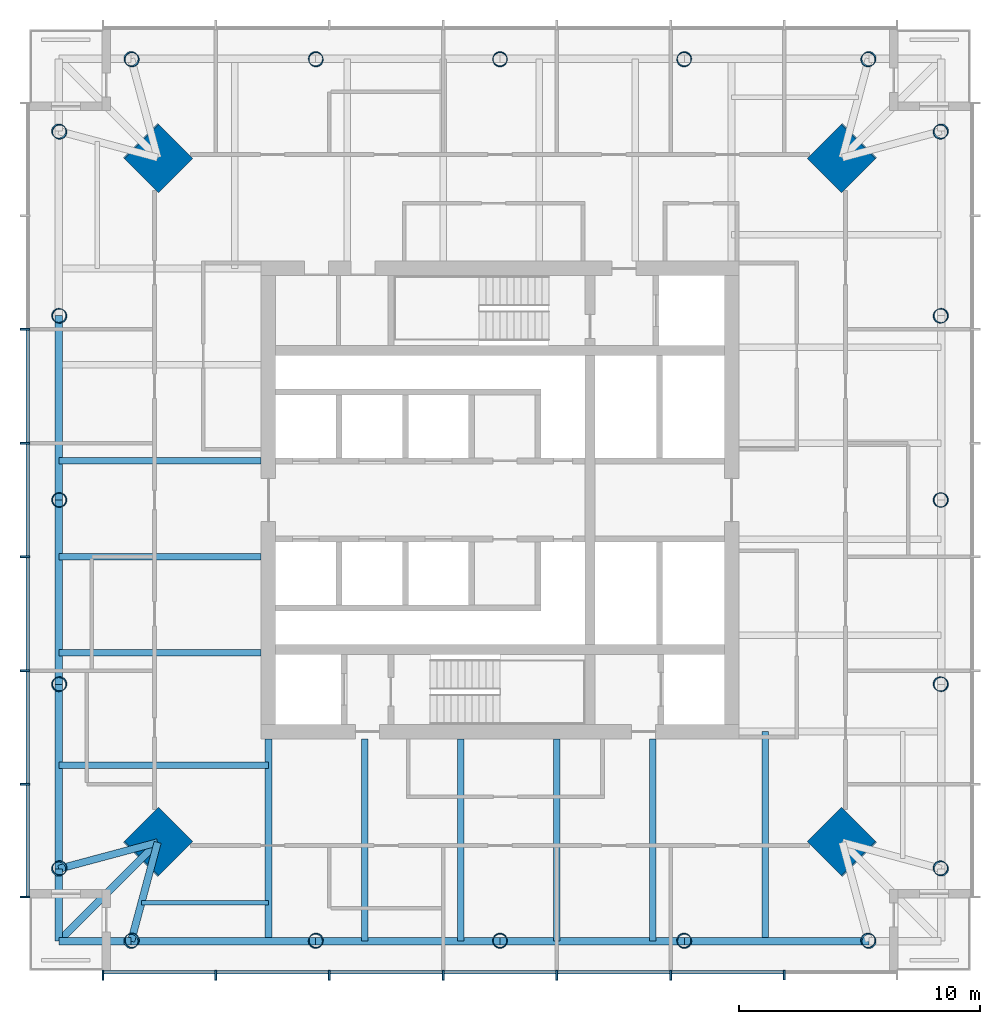
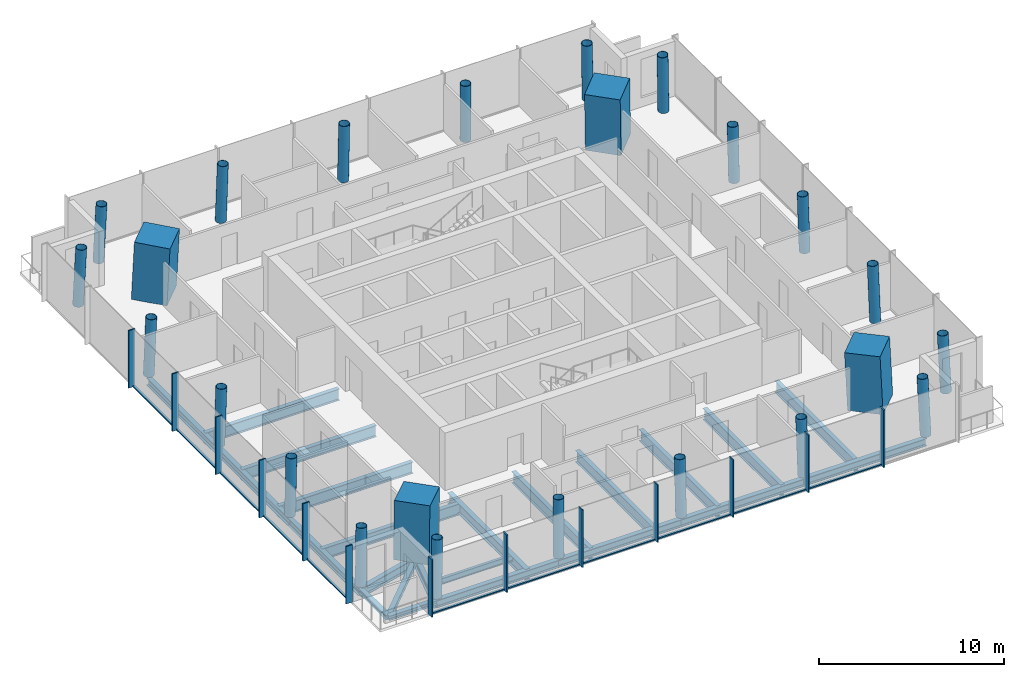
# One storey, part 1 of 7: 24 columns, 24 members, 23 beams, 2 elements without a shape of their own.
"""IFC4 building model written with IfcOpenShell, lengths in metres."""

import ifcopenshell
import ifcopenshell.guid

model = None  # the IFC model being written
_history = None  # IfcOwnerHistory: only IFC2X3 demands one
_inside = {}  # id of a spatial element -> (the spatial element, [elements in it])
_under = {}  # id of a project, library or spatial element -> (it, [spatial elements below it])
_declared = {}  # id of a project -> (the project, [libraries it declares])
_typed = {}  # id of a type object -> (the type object, [elements of that type])
_made_of = {}  # id of a material, layer set ... -> (it, [elements and type objects made of it])


def new_model(schema):
    """Start an empty IFC model of exactly this schema.

    Asked for "IFC4X3", IfcOpenShell would pick the latest addendum, in which some entities
    have other attributes; the version numbers below select the first issue.
    IFC2X3 requires an IfcOwnerHistory on every rooted entity: one is made here for all.
    """
    global model, _history
    if schema == "IFC4X3":
        model = ifcopenshell.file(schema_version=(4, 3, 0, 0))
    else:
        model = ifcopenshell.file(schema=schema)
    _inside.clear()
    _under.clear()
    _declared.clear()
    _typed.clear()
    _made_of.clear()
    _history = None
    if model.schema == "IFC2X3":
        org = make("IfcOrganization", Name="unknown")
        user = make(
            "IfcPersonAndOrganization",
            ThePerson=make("IfcPerson", FamilyName="unknown"),
            TheOrganization=org,
        )
        app = make(
            "IfcApplication",
            ApplicationDeveloper=org,
            Version="unknown",
            ApplicationFullName="unknown",
            ApplicationIdentifier="unknown",
        )
        _history = make(
            "IfcOwnerHistory",
            OwningUser=user,
            OwningApplication=app,
            ChangeAction="ADDED",
            CreationDate=0,
        )
    return model


def make(cls, **values):
    """One entity of the class cls with the attributes given. An attribute that is None is left unset."""
    return model.create_entity(
        cls, **{name: value for name, value in values.items() if value is not None}
    )


def rooted(cls, **values):
    """An entity with a GlobalId (a new one), such as an element, a storey or a relation."""
    return make(cls, GlobalId=ifcopenshell.guid.new(), OwnerHistory=_history, **values)


def si_unit(unit_type, name, prefix=None):
    """IfcSIUnit, for example si_unit("LENGTHUNIT", "METRE", prefix="MILLI")."""
    return make("IfcSIUnit", UnitType=unit_type, Prefix=prefix, Name=name)


def assignment(units):
    """IfcUnitAssignment: the units of a project."""
    return None if units is None else make("IfcUnitAssignment", Units=units)


def point(xyz):
    """IfcCartesianPoint."""
    return None if xyz is None else make("IfcCartesianPoint", Coordinates=xyz)


def direction(xyz):
    """IfcDirection."""
    return None if xyz is None else make("IfcDirection", DirectionRatios=xyz)


def frame(location, z_axis=None, x_axis=None):
    """IfcAxis2Placement3D, a coordinate frame: its origin and axes. An axis left out is left unset."""
    return make(
        "IfcAxis2Placement3D",
        Location=point(location),
        Axis=direction(z_axis),
        RefDirection=direction(x_axis),
    )


def frame_2d(location, x_axis=None):
    """IfcAxis2Placement2D, a coordinate frame in the plane: its origin and x axis."""
    return make(
        "IfcAxis2Placement2D", Location=point(location), RefDirection=direction(x_axis)
    )


def origin():
    """The frame at (0, 0, 0) with its axes left unset."""
    return frame((0.0, 0.0, 0.0))


def origin_2d():
    """The frame at (0, 0) in the plane with its x axis left unset."""
    return frame_2d((0.0, 0.0))


def place(relative_to, where):
    """IfcLocalPlacement: puts the frame where relative to a parent placement (None: the world)."""
    return make(
        "IfcLocalPlacement", PlacementRelTo=relative_to, RelativePlacement=where
    )


def context(
    kind, dimensions, precision=None, world=None, true_north=None, identifier=None
):
    """IfcGeometricRepresentationContext, for example the 3D "Model" context."""
    return make(
        "IfcGeometricRepresentationContext",
        ContextIdentifier=identifier,
        ContextType=kind,
        CoordinateSpaceDimension=dimensions,
        Precision=precision,
        WorldCoordinateSystem=world,
        TrueNorth=true_north,
    )


def subcontext(parent, identifier, kind, view, scale=None):
    """IfcGeometricRepresentationSubContext, for example "Body" below "Model"."""
    return make(
        "IfcGeometricRepresentationSubContext",
        ContextIdentifier=identifier,
        ContextType=kind,
        ParentContext=parent,
        TargetScale=scale,
        TargetView=view,
    )


def project(units=None, contexts=None):
    """IfcProject with its units and contexts."""
    return rooted(
        "IfcProject",
        Name="project",
        RepresentationContexts=contexts,
        UnitsInContext=assignment(units),
    )


def spatial(cls, under=None, at=None, **own):
    """A site, building, storey or space (cls), placed at a placement, below another one or the project."""
    s = rooted(cls, ObjectPlacement=at, **own)
    if under is not None:
        _under.setdefault(under.id(), (under, []))[1].append(s)
    return s


def profile(cls, at=None, kind="AREA", **sizes):
    """A parametric profile (cls). Its sizes go by their IFC names, for example OverallWidth=200.0."""
    return make(cls, ProfileType=kind, Position=at, **sizes)


def rectangle(**sizes):
    """IfcRectangleProfileDef."""
    return profile("IfcRectangleProfileDef", **sizes)


def hollow_circle(**sizes):
    """IfcCircleHollowProfileDef."""
    return profile("IfcCircleHollowProfileDef", **sizes)


def i_section(**sizes):
    """IfcIShapeProfileDef."""
    return profile("IfcIShapeProfileDef", **sizes)


def extrude(swept, where, along, depth):
    """IfcExtrudedAreaSolid: the profile swept, set in the frame where, extruded along a direction by depth."""
    return make(
        "IfcExtrudedAreaSolid",
        SweptArea=swept,
        Position=where,
        ExtrudedDirection=direction(along),
        Depth=depth,
    )


def shape(context_of_items, identifier, shape_type, items):
    """IfcShapeRepresentation: the items that make up one representation, for example the "Body"."""
    return make(
        "IfcShapeRepresentation",
        ContextOfItems=context_of_items,
        RepresentationIdentifier=identifier,
        RepresentationType=shape_type,
        Items=items,
    )


def material(Name=None, Category=None):
    """IfcMaterial."""
    return make("IfcMaterial", Name=Name, Category=Category)


def material_profile(
    of_material, cross_section, Name=None, Category=None, Priority=None
):
    """IfcMaterialProfile: a cross section and its material."""
    return make(
        "IfcMaterialProfile",
        Name=Name,
        Material=of_material,
        Profile=cross_section,
        Priority=Priority,
        Category=Category,
    )


def profile_set(profiles, Name=None, composite=None):
    """IfcMaterialProfileSet."""
    return make(
        "IfcMaterialProfileSet",
        Name=Name,
        MaterialProfiles=profiles,
        CompositeProfile=composite,
    )


def made_of(thing, what):
    """Note that an element or type object is made of a material, layer set ...; save() writes the relation."""
    if what is not None:
        _made_of.setdefault(what.id(), (what, []))[1].append(thing)
    return thing


def type_object(cls, material=None, **own):
    """A type object (cls), such as IfcWallType, which elements share."""
    return made_of(rooted(cls, **own), material)


def element(
    cls,
    number,
    at=None,
    inside=None,
    cuts=None,
    type_object=None,
    material=None,
    context=None,
    identifier="Body",
    shape_type=None,
    held_by="IfcProductDefinitionShape",
    body=None,
    shapes=None,
    **own,
):
    """One element of the class cls, such as IfcWall. Its Tag is "e" and its number.

    at: its placement. inside: the storey or other place that contains it. cuts: it is an
    opening in that element (IfcRelVoidsElement). A single representation is given by context,
    identifier, shape_type and body (its items); several are given by shapes. held_by: the class
    of the entity that holds the representations. save() writes the other relations.
    """
    e = rooted(cls, Tag="e%d" % number, ObjectPlacement=at, **own)
    if body is not None:
        shapes = [shape(context, identifier, shape_type, body)]
    if shapes is not None:
        e.Representation = make(held_by, Representations=shapes)
    if inside is not None:
        _inside.setdefault(inside.id(), (inside, []))[1].append(e)
    if cuts is not None:
        rooted(
            "IfcRelVoidsElement", RelatingBuildingElement=cuts, RelatedOpeningElement=e
        )
    if type_object is not None:
        _typed.setdefault(type_object.id(), (type_object, []))[1].append(e)
    return made_of(e, material)


def aggregate(whole, parts):
    """IfcRelAggregates: a whole, such as a stair, and the parts it consists of."""
    return rooted("IfcRelAggregates", RelatingObject=whole, RelatedObjects=parts)


def save(model, path):
    """Write the relations noted so far, then the file.

    IfcRelAggregates (storeys below a building ...), IfcRelContainedInSpatialStructure (elements
    in a storey), IfcRelDefinesByType, IfcRelAssociatesMaterial and IfcRelDeclares: one each for
    every whole, place, type object, material and project.
    """
    for whole, parts in _under.values():
        aggregate(whole, parts)
    for where, things in _inside.values():
        rooted(
            "IfcRelContainedInSpatialStructure",
            RelatedElements=things,
            RelatingStructure=where,
        )
    for kind, things in _typed.values():
        rooted("IfcRelDefinesByType", RelatedObjects=things, RelatingType=kind)
    for what, things in _made_of.values():
        rooted("IfcRelAssociatesMaterial", RelatedObjects=things, RelatingMaterial=what)
    for by, libraries in _declared.values():
        rooted("IfcRelDeclares", RelatingContext=by, RelatedDefinitions=libraries)
    model.write(path)


model = new_model("IFC4")

# Units and contexts
model_context = context("Model", 3, precision=1e-05, world=origin(), true_north=direction((0.0, 1.0)))
body_context = subcontext(model_context, "Body", "Model", "MODEL_VIEW")
ifc_project = project(units=[si_unit("LENGTHUNIT", "METRE"), si_unit("AREAUNIT", "SQUARE_METRE"), si_unit("VOLUMEUNIT", "CUBIC_METRE"), si_unit("PLANEANGLEUNIT", "RADIAN"), si_unit("MASSUNIT", "GRAM", prefix="KILO")], contexts=[model_context])

# Site, building, storey
site_placement = place(None, origin())
site = spatial("IfcSite", under=ifc_project, at=site_placement, CompositionType="ELEMENT")
building_placement = place(site_placement, origin())
building = spatial("IfcBuilding", under=site, at=building_placement, Name="Ostroluk Exchange", CompositionType="ELEMENT")
storey_placement = place(building_placement, frame((0.0, 0.0, 199.60009765625)))
storey = spatial("IfcBuildingStorey", under=building, at=storey_placement, Name="L51", CompositionType="ELEMENT", Elevation=199.60009765625)

# Columns
ifc_material_1 = material(Name="Concrete C50/60", Category="concrete")
ifc_material_profile_1 = material_profile(ifc_material_1, rectangle(XDim=2.0, YDim=2.0, at=origin_2d()), Name="RC 2000x2000")
ifc_profile_set_1 = profile_set([ifc_material_profile_1], Name="Concrete C50/60")
column_type_1 = type_object("IfcColumnType", Name="Mega column RC 2000x2000", PredefinedType="COLUMN", material=ifc_profile_set_1)
for number, where, z_axis, x_axis, name in (
    (1, (59.19287109375, 60.19287109375, 0.0), (-0.031900153262, -0.031900153262, 0.998981861919), (0.707106781187, -0.707106781187, 0.0), "T1 mega column NE"),
    (2, (30.80712890625, 60.19287109375, 0.0), (0.031900153262, -0.031900153262, 0.998981861919), (0.707106781187, 0.707106781187, 0.0), "T1 mega column NW"),
    (3, (30.80712890625, 31.80712890625, 0.0), (0.031900153262, 0.031900153262, 0.998981861919), (-0.707106781187, 0.707106781187, 0.0), "T1 mega column SW"),
    (4, (59.19287109375, 31.80712890625, 0.0), (-0.031900153262, 0.031900153262, 0.998981861919), (-0.707106781187, -0.707106781187, 0.0), "T1 mega column SE"),
):
    element("IfcColumn", number, at=place(storey_placement, frame(where, z_axis=z_axis, x_axis=x_axis)), inside=storey, type_object=column_type_1, Name=name, PredefinedType="COLUMN", context=body_context, shape_type="SweptSolid", body=[
        extrude(rectangle(XDim=2.0, YDim=2.0, at=origin_2d()), origin(), (0.0, 0.0, 1.0), 3.8037109375),
    ])
ifc_material_2 = material(Name="Steel S460", Category="steel")
ifc_material_profile_2 = material_profile(ifc_material_2, hollow_circle(Radius=0.304931640625, WallThickness=0.02490234375, at=origin_2d()), Name="CHS 610x25")
ifc_profile_set_2 = profile_set([ifc_material_profile_2], Name="Steel S460")
column_type_2 = type_object("IfcColumnType", Name="Perimeter column CHS 610x25", PredefinedType="COLUMN", material=ifc_profile_set_2)
for number, where, z_axis, x_axis, name in (
    (5, (63.29296875, 30.70703125, 0.0), (-0.031964207655, 0.031964207655, 0.998977766949), (-0.707106781187, -0.707106781187, 0.0), "T1 east face column E0"),
    (6, (63.29296875, 61.29296875, 0.0), (-0.031964207655, -0.031964207655, 0.998977766949), (0.707106781187, -0.707106781187, 0.0), "T1 east face column E1"),
):
    element("IfcColumn", number, at=place(storey_placement, frame(where, z_axis=z_axis, x_axis=x_axis)), inside=storey, type_object=column_type_2, Name=name, PredefinedType="COLUMN", context=body_context, shape_type="SweptSolid", body=[
        extrude(hollow_circle(Radius=0.304931640625, WallThickness=0.02490234375, at=origin_2d()), origin(), (0.0, 0.0, 1.0), 3.8037109375),
    ])
column_1_placement = place(storey_placement, frame((63.29296875, 38.353515625, 0.0), z_axis=(-0.031976461511, 0.015988230756, 0.999360736865), x_axis=(-0.4472135955, -0.894427191, 0.0)))
element("IfcColumn", 7, at=column_1_placement, inside=storey, type_object=column_type_2, Name="T1 east face column I1", PredefinedType="COLUMN", context=body_context, shape_type="SweptSolid", body=[
    extrude(hollow_circle(Radius=0.304931640625, WallThickness=0.02490234375, at=origin_2d()), origin(), (0.0, 0.0, 1.0), 3.80224609375),
])
column_2_placement = place(storey_placement, frame((63.29296875, 46.0, 0.0), z_axis=(-0.031980549263, 0.0, 0.999488491414), x_axis=(0.0, -1.0, 0.0)))
element("IfcColumn", 8, at=column_2_placement, inside=storey, type_object=column_type_2, Name="T1 east face column I2", PredefinedType="COLUMN", context=body_context, shape_type="SweptSolid", body=[
    extrude(hollow_circle(Radius=0.304931640625, WallThickness=0.02490234375, at=origin_2d()), origin(), (0.0, 0.0, 1.0), 3.8017578125),
])
column_3_placement = place(storey_placement, frame((63.29296875, 53.646484375, 0.0), z_axis=(-0.031976461511, -0.015988230756, 0.999360736865), x_axis=(0.4472135955, -0.894427191, 0.0)))
element("IfcColumn", 9, at=column_3_placement, inside=storey, type_object=column_type_2, Name="T1 east face column I3", PredefinedType="COLUMN", context=body_context, shape_type="SweptSolid", body=[
    extrude(hollow_circle(Radius=0.304931640625, WallThickness=0.02490234375, at=origin_2d()), origin(), (0.0, 0.0, 1.0), 3.80224609375),
])
for number, where, z_axis, x_axis, name in (
    (10, (60.29296875, 64.29296875, 0.0), (-0.031964207655, -0.031964207655, 0.998977766949), (0.707106781187, -0.707106781187, 0.0), "T1 north face column E0"),
    (11, (29.70703125, 64.29296875, 0.0), (0.031964207655, -0.031964207655, 0.998977766949), (0.707106781187, 0.707106781187, 0.0), "T1 north face column E1"),
):
    element("IfcColumn", number, at=place(storey_placement, frame(where, z_axis=z_axis, x_axis=x_axis)), inside=storey, type_object=column_type_2, Name=name, PredefinedType="COLUMN", context=body_context, shape_type="SweptSolid", body=[
        extrude(hollow_circle(Radius=0.304931640625, WallThickness=0.02490234375, at=origin_2d()), origin(), (0.0, 0.0, 1.0), 3.8037109375),
    ])
column_4_placement = place(storey_placement, frame((52.646484375, 64.29296875, 0.0), z_axis=(-0.015988230756, -0.031976461511, 0.999360736865), x_axis=(0.894427191, -0.4472135955, 0.0)))
element("IfcColumn", 12, at=column_4_placement, inside=storey, type_object=column_type_2, Name="T1 north face column I1", PredefinedType="COLUMN", context=body_context, shape_type="SweptSolid", body=[
    extrude(hollow_circle(Radius=0.304931640625, WallThickness=0.02490234375, at=origin_2d()), origin(), (0.0, 0.0, 1.0), 3.80224609375),
])
column_5_placement = place(storey_placement, frame((45.0, 64.29296875, 0.0), z_axis=(0.0, -0.031980549263, 0.999488491414), x_axis=(1.0, 0.0, 0.0)))
element("IfcColumn", 13, at=column_5_placement, inside=storey, type_object=column_type_2, Name="T1 north face column I2", PredefinedType="COLUMN", context=body_context, shape_type="SweptSolid", body=[
    extrude(hollow_circle(Radius=0.304931640625, WallThickness=0.02490234375, at=origin_2d()), origin(), (0.0, 0.0, 1.0), 3.8017578125),
])
column_6_placement = place(storey_placement, frame((37.353515625, 64.29296875, 0.0), z_axis=(0.015988230756, -0.031976461511, 0.999360736865), x_axis=(0.894427191, 0.4472135955, 0.0)))
element("IfcColumn", 14, at=column_6_placement, inside=storey, type_object=column_type_2, Name="T1 north face column I3", PredefinedType="COLUMN", context=body_context, shape_type="SweptSolid", body=[
    extrude(hollow_circle(Radius=0.304931640625, WallThickness=0.02490234375, at=origin_2d()), origin(), (0.0, 0.0, 1.0), 3.80224609375),
])
for number, where, z_axis, x_axis, name in (
    (15, (26.70703125, 61.29296875, 0.0), (0.031964207655, -0.031964207655, 0.998977766949), (0.707106781187, 0.707106781187, 0.0), "T1 west face column E0"),
    (16, (26.70703125, 30.70703125, 0.0), (0.031964207655, 0.031964207655, 0.998977766949), (-0.707106781187, 0.707106781187, 0.0), "T1 west face column E1"),
):
    element("IfcColumn", number, at=place(storey_placement, frame(where, z_axis=z_axis, x_axis=x_axis)), inside=storey, type_object=column_type_2, Name=name, PredefinedType="COLUMN", context=body_context, shape_type="SweptSolid", body=[
        extrude(hollow_circle(Radius=0.304931640625, WallThickness=0.02490234375, at=origin_2d()), origin(), (0.0, 0.0, 1.0), 3.8037109375),
    ])
column_7_placement = place(storey_placement, frame((26.70703125, 53.646484375, 0.0), z_axis=(0.031976461511, -0.015988230756, 0.999360736865), x_axis=(0.4472135955, 0.894427191, 0.0)))
element("IfcColumn", 17, at=column_7_placement, inside=storey, type_object=column_type_2, Name="T1 west face column I1", PredefinedType="COLUMN", context=body_context, shape_type="SweptSolid", body=[
    extrude(hollow_circle(Radius=0.304931640625, WallThickness=0.02490234375, at=origin_2d()), origin(), (0.0, 0.0, 1.0), 3.80224609375),
])
column_8_placement = place(storey_placement, frame((26.70703125, 46.0, 0.0), z_axis=(0.031980549263, 0.0, 0.999488491414), x_axis=(0.0, 1.0, 0.0)))
element("IfcColumn", 18, at=column_8_placement, inside=storey, type_object=column_type_2, Name="T1 west face column I2", PredefinedType="COLUMN", context=body_context, shape_type="SweptSolid", body=[
    extrude(hollow_circle(Radius=0.304931640625, WallThickness=0.02490234375, at=origin_2d()), origin(), (0.0, 0.0, 1.0), 3.8017578125),
])
column_9_placement = place(storey_placement, frame((26.70703125, 38.353515625, 0.0), z_axis=(0.031976461511, 0.015988230756, 0.999360736865), x_axis=(-0.4472135955, 0.894427191, 0.0)))
element("IfcColumn", 19, at=column_9_placement, inside=storey, type_object=column_type_2, Name="T1 west face column I3", PredefinedType="COLUMN", context=body_context, shape_type="SweptSolid", body=[
    extrude(hollow_circle(Radius=0.304931640625, WallThickness=0.02490234375, at=origin_2d()), origin(), (0.0, 0.0, 1.0), 3.80224609375),
])
for number, where, z_axis, x_axis, name in (
    (20, (29.70703125, 27.70703125, 0.0), (0.031964207655, 0.031964207655, 0.998977766949), (-0.707106781187, 0.707106781187, 0.0), "T1 south face column E0"),
    (21, (60.29296875, 27.70703125, 0.0), (-0.031964207655, 0.031964207655, 0.998977766949), (-0.707106781187, -0.707106781187, 0.0), "T1 south face column E1"),
):
    element("IfcColumn", number, at=place(storey_placement, frame(where, z_axis=z_axis, x_axis=x_axis)), inside=storey, type_object=column_type_2, Name=name, PredefinedType="COLUMN", context=body_context, shape_type="SweptSolid", body=[
        extrude(hollow_circle(Radius=0.304931640625, WallThickness=0.02490234375, at=origin_2d()), origin(), (0.0, 0.0, 1.0), 3.8037109375),
    ])
column_10_placement = place(storey_placement, frame((37.353515625, 27.70703125, 0.0), z_axis=(0.015988230756, 0.031976461511, 0.999360736865), x_axis=(-0.894427191, 0.4472135955, 0.0)))
element("IfcColumn", 22, at=column_10_placement, inside=storey, type_object=column_type_2, Name="T1 south face column I1", PredefinedType="COLUMN", context=body_context, shape_type="SweptSolid", body=[
    extrude(hollow_circle(Radius=0.304931640625, WallThickness=0.02490234375, at=origin_2d()), origin(), (0.0, 0.0, 1.0), 3.80224609375),
])
column_11_placement = place(storey_placement, frame((45.0, 27.70703125, 0.0), z_axis=(0.0, 0.031980549263, 0.999488491414), x_axis=(-1.0, 0.0, 0.0)))
element("IfcColumn", 23, at=column_11_placement, inside=storey, type_object=column_type_2, Name="T1 south face column I2", PredefinedType="COLUMN", context=body_context, shape_type="SweptSolid", body=[
    extrude(hollow_circle(Radius=0.304931640625, WallThickness=0.02490234375, at=origin_2d()), origin(), (0.0, 0.0, 1.0), 3.8017578125),
])
column_12_placement = place(storey_placement, frame((52.646484375, 27.70703125, 0.0), z_axis=(-0.015988230756, 0.031976461511, 0.999360736865), x_axis=(-0.894427191, -0.4472135955, 0.0)))
element("IfcColumn", 24, at=column_12_placement, inside=storey, type_object=column_type_2, Name="T1 south face column I3", PredefinedType="COLUMN", context=body_context, shape_type="SweptSolid", body=[
    extrude(hollow_circle(Radius=0.304931640625, WallThickness=0.02490234375, at=origin_2d()), origin(), (0.0, 0.0, 1.0), 3.80224609375),
])

# Beams
ifc_material_3 = material(Name="Steel S355", Category="steel")
ifc_material_profile_3 = material_profile(ifc_material_3, i_section(OverallWidth=0.300048828125, OverallDepth=0.300048828125, WebThickness=0.010986328125, FlangeThickness=0.01904296875, FilletRadius=0.027099609375, at=origin_2d()), Name="HEB 300")
ifc_profile_set_3 = profile_set([ifc_material_profile_3], Name="Steel S355")
beam_type_1 = type_object("IfcBeamType", Name="Balcony beam HEB 300", PredefinedType="BEAM", material=ifc_profile_set_3)
for number, where, z_axis, x_axis, name in (
    (25, (26.70703125, 30.70703125, -0.330078125), (0.0, -1.0, 0.0), (1.0, 0.0, 0.0), "T1 west balcony beam a"),
    (26, (29.70703125, 27.70703125, -0.330078125), (-1.0, 0.0, 0.0), (0.0, -1.0, 0.0), "T1 west balcony beam b"),
):
    element("IfcBeam", number, at=place(storey_placement, frame(where, z_axis=z_axis, x_axis=x_axis)), inside=storey, type_object=beam_type_1, Name=name, PredefinedType="BEAM", context=body_context, shape_type="SweptSolid", body=[
        extrude(i_section(OverallWidth=0.300048828125, OverallDepth=0.300048828125, WebThickness=0.010986328125, FlangeThickness=0.01904296875, FilletRadius=0.027099609375, at=origin_2d()), origin(), (0.0, 0.0, 1.0), 3.0),
    ])
beam_1_placement = place(storey_placement, frame((30.80712890625, 31.80712890625, -0.330078125), z_axis=(-0.707106781187, -0.707106781187, 0.0), x_axis=(0.707106781187, -0.707106781187, 0.0)))
element("IfcBeam", 27, at=beam_1_placement, inside=storey, type_object=beam_type_1, Name="T1 west balcony beam c", PredefinedType="BEAM", context=body_context, shape_type="SweptSolid", body=[
    extrude(i_section(OverallWidth=0.300048828125, OverallDepth=0.300048828125, WebThickness=0.010986328125, FlangeThickness=0.01904296875, FilletRadius=0.027099609375, at=origin_2d()), origin(), (0.0, 0.0, 1.0), 5.79833984375),
])
ifc_material_4 = material(Name="Steel S355", Category="steel")
ifc_material_profile_4 = material_profile(ifc_material_4, i_section(OverallWidth=0.300048828125, OverallDepth=0.60009765625, WebThickness=0.015380859375, FlangeThickness=0.030029296875, FilletRadius=0.027099609375, at=origin_2d()), Name="HEB 600")
ifc_profile_set_4 = profile_set([ifc_material_profile_4], Name="Steel S355")
beam_type_2 = type_object("IfcBeamType", Name="Corner edge beam HEB 600", PredefinedType="SPANDREL", material=ifc_profile_set_4)
for number, where, z_axis, x_axis, name in (
    (28, (30.80712890625, 31.80712890625, -0.47998046875), (-0.965838624319, -0.259144268261, 0.0), (0.259144268261, -0.965838624319, 0.0), "T1 west corner edge beam a"),
    (29, (30.80712890625, 31.80712890625, -0.47998046875), (-0.259144268261, -0.965838624319, 0.0), (0.965838624319, -0.259144268261, 0.0), "T1 west corner edge beam b"),
):
    element("IfcBeam", number, at=place(storey_placement, frame(where, z_axis=z_axis, x_axis=x_axis)), inside=storey, type_object=beam_type_2, Name=name, PredefinedType="SPANDREL", context=body_context, shape_type="SweptSolid", body=[
        extrude(i_section(OverallWidth=0.300048828125, OverallDepth=0.60009765625, WebThickness=0.015380859375, FlangeThickness=0.030029296875, FilletRadius=0.027099609375, at=origin_2d()), origin(), (0.0, 0.0, 1.0), 4.2451171875),
    ])
ifc_material_5 = material(Name="Steel S355", Category="steel")
ifc_material_profile_5 = material_profile(ifc_material_5, i_section(OverallWidth=0.179931640625, OverallDepth=0.39990234375, WebThickness=0.008544921875, FlangeThickness=0.013427734375, FilletRadius=0.02099609375, at=origin_2d()), Name="IPE 400")
ifc_profile_set_5 = profile_set([ifc_material_profile_5], Name="Steel S355")
beam_type_3 = type_object("IfcBeamType", Name="Floor beam IPE 400", PredefinedType="BEAM", material=ifc_profile_set_5)
beam_2_placement = place(storey_placement, frame((35.39990234375, 29.30712890625, -0.380126953125), z_axis=(-1.0, 0.0, 0.0), x_axis=(0.0, -1.0, 0.0)))
element("IfcBeam", 30, at=beam_2_placement, inside=storey, type_object=beam_type_3, Name="T1 west floor beam 6", PredefinedType="BEAM", context=body_context, shape_type="SweptSolid", body=[
    extrude(i_section(OverallWidth=0.179931640625, OverallDepth=0.39990234375, WebThickness=0.008544921875, FlangeThickness=0.013427734375, FilletRadius=0.02099609375, at=origin_2d()), origin(), (0.0, 0.0, 1.0), 5.263427734375),
])
ifc_material_6 = material(Name="Steel S355", Category="steel")
ifc_material_profile_6 = material_profile(ifc_material_6, i_section(OverallWidth=0.264892578125, OverallDepth=0.7529296875, WebThickness=0.01318359375, FlangeThickness=0.01708984375, FilletRadius=0.01708984375, at=origin_2d()), Name="IPE 750x147")
ifc_profile_set_6 = profile_set([ifc_material_profile_6], Name="Steel S355")
beam_type_4 = type_object("IfcBeamType", Name="Floor beam IPE 750x147", PredefinedType="BEAM", material=ifc_profile_set_6)
for number, where, z_axis, x_axis, name in (
    (31, (35.10009765625, 47.630615234375, -0.556640625), (-1.0, 0.0, 0.0), (0.0, -1.0, 0.0), "T1 west floor beam 2"),
    (32, (35.10009765625, 43.64599609375, -0.556640625), (-1.0, 0.0, 0.0), (0.0, -1.0, 0.0), "T1 west floor beam 3"),
    (33, (35.10009765625, 39.6611328125, -0.556640625), (-1.0, 0.0, 0.0), (0.0, -1.0, 0.0), "T1 west floor beam 4"),
):
    element("IfcBeam", number, at=place(storey_placement, frame(where, z_axis=z_axis, x_axis=x_axis)), inside=storey, type_object=beam_type_4, Name=name, PredefinedType="BEAM", context=body_context, shape_type="SweptSolid", body=[
        extrude(i_section(OverallWidth=0.264892578125, OverallDepth=0.7529296875, WebThickness=0.01318359375, FlangeThickness=0.01708984375, FilletRadius=0.01708984375, at=origin_2d()), origin(), (0.0, 0.0, 1.0), 8.39306640625),
    ])
beam_3_placement = place(storey_placement, frame((35.39990234375, 35.0, -0.556640625), z_axis=(-1.0, 0.0, 0.0), x_axis=(0.0, -1.0, 0.0)))
element("IfcBeam", 34, at=beam_3_placement, inside=storey, type_object=beam_type_4, Name="T1 west floor beam 5", PredefinedType="BEAM", context=body_context, shape_type="SweptSolid", body=[
    extrude(i_section(OverallWidth=0.264892578125, OverallDepth=0.7529296875, WebThickness=0.01318359375, FlangeThickness=0.01708984375, FilletRadius=0.01708984375, at=origin_2d()), origin(), (0.0, 0.0, 1.0), 8.69287109375),
])
for number, where, z_axis, x_axis, name in (
    (35, (39.384765625, 36.10009765625, -0.556640625), (0.0, -1.0, 0.0), (1.0, 0.0, 0.0), "T1 south floor beam 1"),
    (36, (43.369384765625, 36.10009765625, -0.556640625), (0.0, -1.0, 0.0), (1.0, 0.0, 0.0), "T1 south floor beam 2"),
    (37, (47.35400390625, 36.10009765625, -0.556640625), (0.0, -1.0, 0.0), (1.0, 0.0, 0.0), "T1 south floor beam 3"),
    (38, (51.3388671875, 36.10009765625, -0.556640625), (0.0, -1.0, 0.0), (1.0, 0.0, 0.0), "T1 south floor beam 4"),
):
    element("IfcBeam", number, at=place(storey_placement, frame(where, z_axis=z_axis, x_axis=x_axis)), inside=storey, type_object=beam_type_4, Name=name, PredefinedType="BEAM", context=body_context, shape_type="SweptSolid", body=[
        extrude(i_section(OverallWidth=0.264892578125, OverallDepth=0.7529296875, WebThickness=0.01318359375, FlangeThickness=0.01708984375, FilletRadius=0.01708984375, at=origin_2d()), origin(), (0.0, 0.0, 1.0), 8.39306640625),
    ])
beam_4_placement = place(storey_placement, frame((56.0, 36.39990234375, -0.556640625), z_axis=(0.0, -1.0, 0.0), x_axis=(1.0, 0.0, 0.0)))
element("IfcBeam", 39, at=beam_4_placement, inside=storey, type_object=beam_type_4, Name="T1 south floor beam 5", PredefinedType="BEAM", context=body_context, shape_type="SweptSolid", body=[
    extrude(i_section(OverallWidth=0.264892578125, OverallDepth=0.7529296875, WebThickness=0.01318359375, FlangeThickness=0.01708984375, FilletRadius=0.01708984375, at=origin_2d()), origin(), (0.0, 0.0, 1.0), 8.69287109375),
])
ifc_material_7 = material(Name="Steel S355", Category="steel")
ifc_material_profile_7 = material_profile(ifc_material_7, i_section(OverallWidth=0.300048828125, OverallDepth=0.699951171875, WebThickness=0.01708984375, FlangeThickness=0.031982421875, FilletRadius=0.027099609375, at=origin_2d()), Name="HEB 700")
ifc_profile_set_7 = profile_set([ifc_material_profile_7], Name="Steel S355")
beam_type_5 = type_object("IfcBeamType", Name="Girder HEB 700", PredefinedType="BEAM", material=ifc_profile_set_7)
beam_5_placement = place(storey_placement, frame((35.39990234375, 36.10009765625, -0.530029296875), z_axis=(0.0, -1.0, 0.0), x_axis=(1.0, 0.0, 0.0)))
element("IfcBeam", 40, at=beam_5_placement, inside=storey, type_object=beam_type_5, Name="T1 west girder", PredefinedType="BEAM", context=body_context, shape_type="SweptSolid", body=[
    extrude(i_section(OverallWidth=0.300048828125, OverallDepth=0.699951171875, WebThickness=0.01708984375, FlangeThickness=0.031982421875, FilletRadius=0.027099609375, at=origin_2d()), origin(), (0.0, 0.0, 1.0), 8.39306640625),
])
ifc_material_8 = material(Name="Steel S355", Category="steel")
ifc_material_profile_8 = material_profile(ifc_material_8, i_section(OverallWidth=0.300048828125, OverallDepth=0.5, WebThickness=0.014404296875, FlangeThickness=0.028076171875, FilletRadius=0.027099609375, at=origin_2d()), Name="HEB 500")
ifc_profile_set_8 = profile_set([ifc_material_profile_8], Name="Steel S355")
beam_type_6 = type_object("IfcBeamType", Name="Moment-connected edge beam HEB 500", PredefinedType="SPANDREL", material=ifc_profile_set_8)
for number, where, z_axis, x_axis, name in (
    (41, (26.70703125, 53.646484375, -0.43017578125), (0.0, -1.0, 0.0), (1.0, 0.0, 0.0), "T1 west edge beam 2"),
    (42, (26.70703125, 46.0, -0.43017578125), (0.0, -1.0, 0.0), (1.0, 0.0, 0.0), "T1 west edge beam 3"),
    (43, (26.70703125, 38.353515625, -0.43017578125), (0.0, -1.0, 0.0), (1.0, 0.0, 0.0), "T1 west edge beam 4"),
    (44, (29.70703125, 27.70703125, -0.43017578125), (1.0, 0.0, 0.0), (0.0, 1.0, 0.0), "T1 south edge beam 1"),
    (45, (37.353515625, 27.70703125, -0.43017578125), (1.0, 0.0, 0.0), (0.0, 1.0, 0.0), "T1 south edge beam 2"),
    (46, (45.0, 27.70703125, -0.43017578125), (1.0, 0.0, 0.0), (0.0, 1.0, 0.0), "T1 south edge beam 3"),
    (47, (52.646484375, 27.70703125, -0.43017578125), (1.0, 0.0, 0.0), (0.0, 1.0, 0.0), "T1 south edge beam 4"),
):
    element("IfcBeam", number, at=place(storey_placement, frame(where, z_axis=z_axis, x_axis=x_axis)), inside=storey, type_object=beam_type_6, Name=name, PredefinedType="SPANDREL", context=body_context, shape_type="SweptSolid", body=[
        extrude(i_section(OverallWidth=0.300048828125, OverallDepth=0.5, WebThickness=0.014404296875, FlangeThickness=0.028076171875, FilletRadius=0.027099609375, at=origin_2d()), origin(), (0.0, 0.0, 1.0), 7.646484375),
    ])

# Curtain wall, members
ifc_material_9 = material(Name="Laminated clear glass", Category="glass")
curtain_wall_type = type_object("IfcCurtainWallType", Name="Office tower facade", PredefinedType="USERDEFINED", material=ifc_material_9)
curtain_wall_1_placement = place(storey_placement, origin())
curtain_wall_1 = element("IfcCurtainWall", 48, at=curtain_wall_1_placement, inside=storey, type_object=curtain_wall_type, Name="Office tower south facade L51", ObjectType="UNITISED CURTAIN WALL", PredefinedType="USERDEFINED")
ifc_material_10 = material(Name="Aluminium mullion", Category="aluminium")
ifc_material_profile_9 = material_profile(ifc_material_10, rectangle(XDim=0.14990234375, YDim=0.080078125, at=origin_2d()), Name="Sill transom 80 x 150")
ifc_profile_set_9 = profile_set([ifc_material_profile_9], Name="Aluminium mullion")
member_type_1 = type_object("IfcMemberType", Name="Sill transom 80 x 150", PredefinedType="USERDEFINED", material=ifc_profile_set_9)
member_1_placement = place(storey_placement, frame((28.580078125, 26.425048828125, 0.039794921875), z_axis=(1.0, 0.0, 0.0), x_axis=(0.0, 1.0, 0.0)))
member_1 = element("IfcMember", 49, at=member_1_placement, type_object=member_type_1, Name="CW-O1 transom 1.1", ObjectType="TRANSOM", PredefinedType="USERDEFINED", context=body_context, shape_type="SweptSolid", body=[
    extrude(rectangle(XDim=0.14990234375, YDim=0.080078125, at=origin_2d()), origin(), (0.0, 0.0, 1.0), 4.59423828125),
])
member_2_placement = place(storey_placement, frame((33.25439453125, 26.425048828125, 0.039794921875), z_axis=(1.0, 0.0, 0.0), x_axis=(0.0, 1.0, 0.0)))
member_2 = element("IfcMember", 50, at=member_2_placement, type_object=member_type_1, Name="CW-O1 transom 2.1", ObjectType="TRANSOM", PredefinedType="USERDEFINED", context=body_context, shape_type="SweptSolid", body=[
    extrude(rectangle(XDim=0.14990234375, YDim=0.080078125, at=origin_2d()), origin(), (0.0, 0.0, 1.0), 4.63427734375),
])
member_3_placement = place(storey_placement, frame((37.968505859375, 26.425048828125, 0.039794921875), z_axis=(1.0, 0.0, 0.0), x_axis=(0.0, 1.0, 0.0)))
member_3 = element("IfcMember", 51, at=member_3_placement, type_object=member_type_1, Name="CW-O1 transom 3.1", ObjectType="TRANSOM", PredefinedType="USERDEFINED", context=body_context, shape_type="SweptSolid", body=[
    extrude(rectangle(XDim=0.14990234375, YDim=0.080078125, at=origin_2d()), origin(), (0.0, 0.0, 1.0), 4.63427734375),
])
member_4_placement = place(storey_placement, frame((42.682861328125, 26.425048828125, 0.039794921875), z_axis=(1.0, 0.0, 0.0), x_axis=(0.0, 1.0, 0.0)))
member_4 = element("IfcMember", 52, at=member_4_placement, type_object=member_type_1, Name="CW-O1 transom 4.1", ObjectType="TRANSOM", PredefinedType="USERDEFINED", context=body_context, shape_type="SweptSolid", body=[
    extrude(rectangle(XDim=0.14990234375, YDim=0.080078125, at=origin_2d()), origin(), (0.0, 0.0, 1.0), 4.63427734375),
])
member_5_placement = place(storey_placement, frame((47.397216796875, 26.425048828125, 0.039794921875), z_axis=(1.0, 0.0, 0.0), x_axis=(0.0, 1.0, 0.0)))
member_5 = element("IfcMember", 53, at=member_5_placement, type_object=member_type_1, Name="CW-O1 transom 5.1", ObjectType="TRANSOM", PredefinedType="USERDEFINED", context=body_context, shape_type="SweptSolid", body=[
    extrude(rectangle(XDim=0.14990234375, YDim=0.080078125, at=origin_2d()), origin(), (0.0, 0.0, 1.0), 4.63427734375),
])
member_6_placement = place(storey_placement, frame((52.111328125, 26.425048828125, 0.039794921875), z_axis=(1.0, 0.0, 0.0), x_axis=(0.0, 1.0, 0.0)))
member_6 = element("IfcMember", 54, at=member_6_placement, type_object=member_type_1, Name="CW-O1 transom 6.1", ObjectType="TRANSOM", PredefinedType="USERDEFINED", context=body_context, shape_type="SweptSolid", body=[
    extrude(rectangle(XDim=0.14990234375, YDim=0.080078125, at=origin_2d()), origin(), (0.0, 0.0, 1.0), 4.63427734375),
])

curtain_wall_2_placement = place(storey_placement, origin())
curtain_wall_2 = element("IfcCurtainWall", 55, at=curtain_wall_2_placement, inside=storey, type_object=curtain_wall_type, Name="Office tower west facade L51", ObjectType="UNITISED CURTAIN WALL", PredefinedType="USERDEFINED")
member_7_placement = place(storey_placement, frame((25.425048828125, 53.031494140625, 0.039794921875), z_axis=(0.0, -1.0, 0.0), x_axis=(1.0, 0.0, 0.0)))
member_7 = element("IfcMember", 56, at=member_7_placement, type_object=member_type_1, Name="CW-O1 transom 3.1", ObjectType="TRANSOM", PredefinedType="USERDEFINED", context=body_context, shape_type="SweptSolid", body=[
    extrude(rectangle(XDim=0.14990234375, YDim=0.080078125, at=origin_2d()), origin(), (0.0, 0.0, 1.0), 4.63427734375),
])
member_8_placement = place(storey_placement, frame((25.425048828125, 48.317138671875, 0.039794921875), z_axis=(0.0, -1.0, 0.0), x_axis=(1.0, 0.0, 0.0)))
member_8 = element("IfcMember", 57, at=member_8_placement, type_object=member_type_1, Name="CW-O1 transom 4.1", ObjectType="TRANSOM", PredefinedType="USERDEFINED", context=body_context, shape_type="SweptSolid", body=[
    extrude(rectangle(XDim=0.14990234375, YDim=0.080078125, at=origin_2d()), origin(), (0.0, 0.0, 1.0), 4.63427734375),
])
member_9_placement = place(storey_placement, frame((25.425048828125, 43.602783203125, 0.039794921875), z_axis=(0.0, -1.0, 0.0), x_axis=(1.0, 0.0, 0.0)))
member_9 = element("IfcMember", 58, at=member_9_placement, type_object=member_type_1, Name="CW-O1 transom 5.1", ObjectType="TRANSOM", PredefinedType="USERDEFINED", context=body_context, shape_type="SweptSolid", body=[
    extrude(rectangle(XDim=0.14990234375, YDim=0.080078125, at=origin_2d()), origin(), (0.0, 0.0, 1.0), 4.63427734375),
])
member_10_placement = place(storey_placement, frame((25.425048828125, 38.888671875, 0.039794921875), z_axis=(0.0, -1.0, 0.0), x_axis=(1.0, 0.0, 0.0)))
member_10 = element("IfcMember", 59, at=member_10_placement, type_object=member_type_1, Name="CW-O1 transom 6.1", ObjectType="TRANSOM", PredefinedType="USERDEFINED", context=body_context, shape_type="SweptSolid", body=[
    extrude(rectangle(XDim=0.14990234375, YDim=0.080078125, at=origin_2d()), origin(), (0.0, 0.0, 1.0), 4.63427734375),
])
member_11_placement = place(storey_placement, frame((25.425048828125, 34.17431640625, 0.039794921875), z_axis=(0.0, -1.0, 0.0), x_axis=(1.0, 0.0, 0.0)))
member_11 = element("IfcMember", 60, at=member_11_placement, type_object=member_type_1, Name="CW-O1 transom 7.1", ObjectType="TRANSOM", PredefinedType="USERDEFINED", context=body_context, shape_type="SweptSolid", body=[
    extrude(rectangle(XDim=0.14990234375, YDim=0.080078125, at=origin_2d()), origin(), (0.0, 0.0, 1.0), 4.59423828125),
])

# Member
ifc_material_11 = material(Name="Aluminium mullion with limestone facing", Category="masonry")
ifc_material_profile_10 = material_profile(ifc_material_11, rectangle(XDim=0.39990234375, YDim=0.080078125, at=origin_2d()), Name="Tracery mullion 80 x 400")
ifc_profile_set_10 = profile_set([ifc_material_profile_10], Name="Aluminium mullion with limestone facing")
member_type_2 = type_object("IfcMemberType", Name="Tracery mullion 80 x 400", PredefinedType="MULLION", material=ifc_profile_set_10)
member_12_placement = place(storey_placement, frame((28.5400390625, 26.300048828125, 0.0), z_axis=(0.0, 0.0, 1.0), x_axis=(0.0, 1.0, 0.0)))
member_12 = element("IfcMember", 61, at=member_12_placement, type_object=member_type_2, Name="CW-O1 mullion 1", PredefinedType="MULLION", context=body_context, shape_type="SweptSolid", body=[
    extrude(rectangle(XDim=0.39990234375, YDim=0.080078125, at=origin_2d()), origin(), (0.0, 0.0, 1.0), 3.7998046875),
])

member_13_placement = place(storey_placement, frame((33.21435546875, 26.300048828125, 0.0), z_axis=(0.0, 0.0, 1.0), x_axis=(0.0, 1.0, 0.0)))
member_13 = element("IfcMember", 62, at=member_13_placement, type_object=member_type_2, Name="CW-O1 mullion 2", PredefinedType="MULLION", context=body_context, shape_type="SweptSolid", body=[
    extrude(rectangle(XDim=0.39990234375, YDim=0.080078125, at=origin_2d()), origin(), (0.0, 0.0, 1.0), 3.7998046875),
])

member_14_placement = place(storey_placement, frame((37.928466796875, 26.300048828125, 0.0), z_axis=(0.0, 0.0, 1.0), x_axis=(0.0, 1.0, 0.0)))
member_14 = element("IfcMember", 63, at=member_14_placement, type_object=member_type_2, Name="CW-O1 mullion 3", PredefinedType="MULLION", context=body_context, shape_type="SweptSolid", body=[
    extrude(rectangle(XDim=0.39990234375, YDim=0.080078125, at=origin_2d()), origin(), (0.0, 0.0, 1.0), 3.7998046875),
])

member_15_placement = place(storey_placement, frame((42.642822265625, 26.300048828125, 0.0), z_axis=(0.0, 0.0, 1.0), x_axis=(0.0, 1.0, 0.0)))
member_15 = element("IfcMember", 64, at=member_15_placement, type_object=member_type_2, Name="CW-O1 mullion 4", PredefinedType="MULLION", context=body_context, shape_type="SweptSolid", body=[
    extrude(rectangle(XDim=0.39990234375, YDim=0.080078125, at=origin_2d()), origin(), (0.0, 0.0, 1.0), 3.7998046875),
])

member_16_placement = place(storey_placement, frame((47.357177734375, 26.300048828125, 0.0), z_axis=(0.0, 0.0, 1.0), x_axis=(0.0, 1.0, 0.0)))
member_16 = element("IfcMember", 65, at=member_16_placement, type_object=member_type_2, Name="CW-O1 mullion 5", PredefinedType="MULLION", context=body_context, shape_type="SweptSolid", body=[
    extrude(rectangle(XDim=0.39990234375, YDim=0.080078125, at=origin_2d()), origin(), (0.0, 0.0, 1.0), 3.7998046875),
])

member_17_placement = place(storey_placement, frame((52.071533203125, 26.300048828125, 0.0), z_axis=(0.0, 0.0, 1.0), x_axis=(0.0, 1.0, 0.0)))
member_17 = element("IfcMember", 66, at=member_17_placement, type_object=member_type_2, Name="CW-O1 mullion 6", PredefinedType="MULLION", context=body_context, shape_type="SweptSolid", body=[
    extrude(rectangle(XDim=0.39990234375, YDim=0.080078125, at=origin_2d()), origin(), (0.0, 0.0, 1.0), 3.7998046875),
])

member_18_placement = place(storey_placement, frame((56.78564453125, 26.300048828125, 0.0), z_axis=(0.0, 0.0, 1.0), x_axis=(0.0, 1.0, 0.0)))
member_18 = element("IfcMember", 67, at=member_18_placement, type_object=member_type_2, Name="CW-O1 mullion 7", PredefinedType="MULLION", context=body_context, shape_type="SweptSolid", body=[
    extrude(rectangle(XDim=0.39990234375, YDim=0.080078125, at=origin_2d()), origin(), (0.0, 0.0, 1.0), 3.7998046875),
])

aggregate(curtain_wall_1, [member_12, member_13, member_14, member_15, member_16, member_17, member_18, member_1, member_2, member_3, member_4, member_5, member_6])

member_19_placement = place(storey_placement, frame((25.300048828125, 53.071533203125, 0.0), z_axis=(0.0, 0.0, 1.0), x_axis=(1.0, 0.0, 0.0)))
member_19 = element("IfcMember", 68, at=member_19_placement, type_object=member_type_2, Name="CW-O1 mullion 3", PredefinedType="MULLION", context=body_context, shape_type="SweptSolid", body=[
    extrude(rectangle(XDim=0.39990234375, YDim=0.080078125, at=origin_2d()), origin(), (0.0, 0.0, 1.0), 3.7998046875),
])

member_20_placement = place(storey_placement, frame((25.300048828125, 48.357177734375, 0.0), z_axis=(0.0, 0.0, 1.0), x_axis=(1.0, 0.0, 0.0)))
member_20 = element("IfcMember", 69, at=member_20_placement, type_object=member_type_2, Name="CW-O1 mullion 4", PredefinedType="MULLION", context=body_context, shape_type="SweptSolid", body=[
    extrude(rectangle(XDim=0.39990234375, YDim=0.080078125, at=origin_2d()), origin(), (0.0, 0.0, 1.0), 3.7998046875),
])

member_21_placement = place(storey_placement, frame((25.300048828125, 43.642822265625, 0.0), z_axis=(0.0, 0.0, 1.0), x_axis=(1.0, 0.0, 0.0)))
member_21 = element("IfcMember", 70, at=member_21_placement, type_object=member_type_2, Name="CW-O1 mullion 5", PredefinedType="MULLION", context=body_context, shape_type="SweptSolid", body=[
    extrude(rectangle(XDim=0.39990234375, YDim=0.080078125, at=origin_2d()), origin(), (0.0, 0.0, 1.0), 3.7998046875),
])

member_22_placement = place(storey_placement, frame((25.300048828125, 38.928466796875, 0.0), z_axis=(0.0, 0.0, 1.0), x_axis=(1.0, 0.0, 0.0)))
member_22 = element("IfcMember", 71, at=member_22_placement, type_object=member_type_2, Name="CW-O1 mullion 6", PredefinedType="MULLION", context=body_context, shape_type="SweptSolid", body=[
    extrude(rectangle(XDim=0.39990234375, YDim=0.080078125, at=origin_2d()), origin(), (0.0, 0.0, 1.0), 3.7998046875),
])

member_23_placement = place(storey_placement, frame((25.300048828125, 34.21435546875, 0.0), z_axis=(0.0, 0.0, 1.0), x_axis=(1.0, 0.0, 0.0)))
member_23 = element("IfcMember", 72, at=member_23_placement, type_object=member_type_2, Name="CW-O1 mullion 7", PredefinedType="MULLION", context=body_context, shape_type="SweptSolid", body=[
    extrude(rectangle(XDim=0.39990234375, YDim=0.080078125, at=origin_2d()), origin(), (0.0, 0.0, 1.0), 3.7998046875),
])

member_24_placement = place(storey_placement, frame((25.300048828125, 29.5400390625, 0.0), z_axis=(0.0, 0.0, 1.0), x_axis=(1.0, 0.0, 0.0)))
member_24 = element("IfcMember", 73, at=member_24_placement, type_object=member_type_2, Name="CW-O1 mullion 8", PredefinedType="MULLION", context=body_context, shape_type="SweptSolid", body=[
    extrude(rectangle(XDim=0.39990234375, YDim=0.080078125, at=origin_2d()), origin(), (0.0, 0.0, 1.0), 3.7998046875),
])

aggregate(curtain_wall_2, [member_19, member_20, member_21, member_22, member_23, member_24, member_7, member_8, member_9, member_10, member_11])

save(model, "model.ifc")
